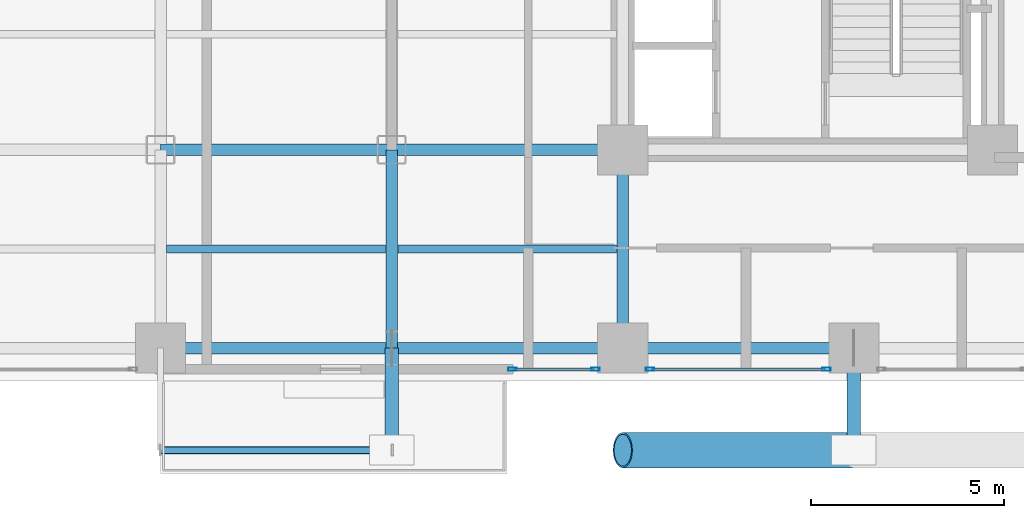
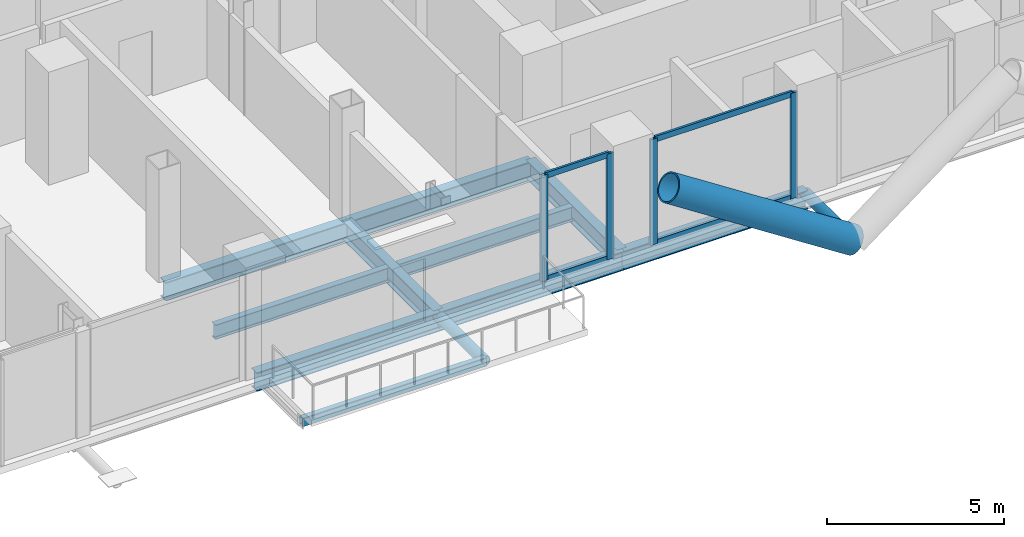
# One storey, part 3 of 25: 11 members, 10 beams, 2 elements without a shape of their own.
"""IFC4 building model written with IfcOpenShell, lengths in metres."""

from ifc_helpers import new_model, si_unit, direction, frame, origin, origin_2d, place, context, subcontext, project, spatial, hollow_rectangle, hollow_circle, i_section, extrude, material, layer, layer_set, material_profile, profile_set, type_object, element, aggregate, save


model = new_model("IFC4")

# Units and contexts
model_context = context("Model", 3, precision=1e-05, world=origin(), true_north=direction((0.0, 1.0)))
body_context = subcontext(model_context, "Body", "Model", "MODEL_VIEW")
ifc_project = project(units=[si_unit("LENGTHUNIT", "METRE"), si_unit("AREAUNIT", "SQUARE_METRE"), si_unit("VOLUMEUNIT", "CUBIC_METRE"), si_unit("PLANEANGLEUNIT", "RADIAN"), si_unit("MASSUNIT", "GRAM", prefix="KILO"), si_unit("THERMODYNAMICTEMPERATUREUNIT", "KELVIN"), si_unit("POWERUNIT", "WATT")], contexts=[model_context])

# Site, building, storey
site_placement = place(None, origin())
site = spatial("IfcSite", under=ifc_project, at=site_placement, CompositionType="ELEMENT")
building_placement = place(site_placement, origin())
building = spatial("IfcBuilding", under=site, at=building_placement, Name="Svarakhadi Broadcast Tower", CompositionType="ELEMENT")
storey_placement = place(building_placement, frame((0.0, 0.0, 79.199951171875)))
storey = spatial("IfcBuildingStorey", under=building, at=storey_placement, Name="L18", CompositionType="ELEMENT", Elevation=79.199951171875)

# Beams
ifc_material_1 = material(Name="Steel S355J2 (IS 2062 E350C)", Category="steel")
ifc_material_profile_1 = material_profile(ifc_material_1, i_section(OverallWidth=0.199951171875, OverallDepth=0.5, WebThickness=0.01025390625, FlangeThickness=0.01611328125, FilletRadius=0.02099609375, at=origin_2d()), Name="NPB 500x200x91")
ifc_profile_set_1 = profile_set([ifc_material_profile_1], Name="Steel S355J2 (IS 2062 E350C)")
beam_type_1 = type_object("IfcBeamType", Name="Beam_NPB500", PredefinedType="BEAM", material=ifc_profile_set_1)
for number, where, z_axis, x_axis, name in (
    (1, (12.159912109375, 3.425048828125, -0.5), (1.0, 0.0, 0.0), (0.0, 1.0, 0.0), "L18 Secondary Composite Beam SB013"),
    (2, (18.159912109375, 3.425048828125, -0.5), (1.0, 0.0, 0.0), (0.0, 1.0, 0.0), "L18 Secondary Composite Beam SB019"),
):
    element("IfcBeam", number, at=place(storey_placement, frame(where, z_axis=z_axis, x_axis=x_axis)), inside=storey, type_object=beam_type_1, Name=name, PredefinedType="BEAM", context=body_context, shape_type="SweptSolid", body=[
        extrude(i_section(OverallWidth=0.199951171875, OverallDepth=0.5, WebThickness=0.01025390625, FlangeThickness=0.01611328125, FilletRadius=0.02099609375, at=origin_2d()), origin(), (0.0, 0.0, 1.0), 5.68017578125),
    ])

# Curtain wall, members
ifc_material_2 = material(Name="Anodised Bronze Aluminium AA 6063-T6", Category="aluminium")
ifc_layer = layer(ifc_material_2, 0.219970703125)
ifc_layer_set = layer_set([ifc_layer], Name="Anodised Bronze Aluminium AA 6063-T6")
curtain_wall_type = type_object("IfcCurtainWallType", Name="CW_Sys_02", PredefinedType="NOTDEFINED", material=ifc_layer_set)
curtain_wall_1_placement = place(storey_placement, origin())
curtain_wall_1 = element("IfcCurtainWall", 3, at=curtain_wall_1_placement, inside=storey, type_object=curtain_wall_type, Name="L18 South Curtain Wall 16 Bay 5", PredefinedType="NOTDEFINED")
ifc_material_profile_2 = material_profile(ifc_material_2, hollow_rectangle(XDim=0.0849609375, YDim=0.219970703125, WallThickness=0.006103515625, at=origin_2d()), Name="ALU MULLION 220x85x6")
ifc_profile_set_2 = profile_set([ifc_material_profile_2], Name="Anodised Bronze Aluminium AA 6063-T6")
member_type_1 = type_object("IfcMemberType", Name="CW_Sys_02_Mul", PredefinedType="MULLION", material=ifc_profile_set_2)
member_1_placement = place(storey_placement, frame((29.28759765625, 0.300048828125, 0.0), z_axis=(0.0, 0.0, 1.0), x_axis=(0.0, -1.0, 0.0)))
member_1 = element("IfcMember", 4, at=member_1_placement, type_object=member_type_1, Name="CW-02 mullion 1", PredefinedType="MULLION", context=body_context, shape_type="SweptSolid", body=[
    extrude(hollow_rectangle(XDim=0.0849609375, YDim=0.219970703125, WallThickness=0.006103515625, at=origin_2d()), origin(), (0.0, 0.0, 1.0), 3.650146484375),
])
member_2_placement = place(storey_placement, frame((24.71240234375, 0.300048828125, 0.0), z_axis=(0.0, 0.0, 1.0), x_axis=(0.0, -1.0, 0.0)))
member_2 = element("IfcMember", 5, at=member_2_placement, type_object=member_type_1, Name="CW-02 mullion 2", PredefinedType="MULLION", context=body_context, shape_type="SweptSolid", body=[
    extrude(hollow_rectangle(XDim=0.0849609375, YDim=0.219970703125, WallThickness=0.006103515625, at=origin_2d()), origin(), (0.0, 0.0, 1.0), 3.650146484375),
])

curtain_wall_2_placement = place(storey_placement, origin())
curtain_wall_2 = element("IfcCurtainWall", 6, at=curtain_wall_2_placement, inside=storey, type_object=curtain_wall_type, Name="L18 South Curtain Wall 16 Bay 6", PredefinedType="NOTDEFINED")
member_3_placement = place(storey_placement, frame((23.28759765625, 0.300048828125, 0.0), z_axis=(0.0, 0.0, 1.0), x_axis=(0.0, -1.0, 0.0)))
member_3 = element("IfcMember", 7, at=member_3_placement, type_object=member_type_1, Name="CW-02 mullion 1", PredefinedType="MULLION", context=body_context, shape_type="SweptSolid", body=[
    extrude(hollow_rectangle(XDim=0.0849609375, YDim=0.219970703125, WallThickness=0.006103515625, at=origin_2d()), origin(), (0.0, 0.0, 1.0), 3.650146484375),
])
member_4_placement = place(storey_placement, frame((21.132568359375, 0.300048828125, 0.0), z_axis=(0.0, 0.0, 1.0), x_axis=(0.0, -1.0, 0.0)))
member_4 = element("IfcMember", 8, at=member_4_placement, type_object=member_type_1, Name="CW-02 mullion 2", PredefinedType="MULLION", context=body_context, shape_type="SweptSolid", body=[
    extrude(hollow_rectangle(XDim=0.0849609375, YDim=0.219970703125, WallThickness=0.006103515625, at=origin_2d()), origin(), (0.0, 0.0, 1.0), 3.650146484375),
])

# Member
ifc_material_profile_3 = material_profile(ifc_material_2, hollow_rectangle(XDim=0.074951171875, YDim=0.199951171875, WallThickness=0.0048828125, at=origin_2d()), Name="ALU TRANSOM 200x75x5")
ifc_profile_set_3 = profile_set([ifc_material_profile_3], Name="Anodised Bronze Aluminium AA 6063-T6")
member_type_2 = type_object("IfcMemberType", Name="CW_Sys_02_Trn", PredefinedType="USERDEFINED", material=ifc_profile_set_3)
member_5_placement = place(storey_placement, frame((29.2451171875, 0.300048828125, 0.03759765625), z_axis=(-1.0, 0.0, 0.0), x_axis=(0.0, -1.0, 0.0)))
member_5 = element("IfcMember", 9, at=member_5_placement, type_object=member_type_2, Name="CW-02 transom 1.1", ObjectType="TRANSOM", PredefinedType="USERDEFINED", context=body_context, shape_type="SweptSolid", body=[
    extrude(hollow_rectangle(XDim=0.074951171875, YDim=0.199951171875, WallThickness=0.0048828125, at=origin_2d()), origin(), (0.0, 0.0, 1.0), 4.490234375),
])

member_6_placement = place(storey_placement, frame((29.2451171875, 0.300048828125, 3.612548828125), z_axis=(-1.0, 0.0, 0.0), x_axis=(0.0, -1.0, 0.0)))
member_6 = element("IfcMember", 10, at=member_6_placement, type_object=member_type_2, Name="CW-02 transom 1.2", ObjectType="TRANSOM", PredefinedType="USERDEFINED", context=body_context, shape_type="SweptSolid", body=[
    extrude(hollow_rectangle(XDim=0.074951171875, YDim=0.199951171875, WallThickness=0.0048828125, at=origin_2d()), origin(), (0.0, 0.0, 1.0), 4.490234375),
])

aggregate(curtain_wall_1, [member_1, member_2, member_5, member_6])

member_7_placement = place(storey_placement, frame((23.2451171875, 0.300048828125, 0.03759765625), z_axis=(-1.0, 0.0, 0.0), x_axis=(0.0, -1.0, 0.0)))
member_7 = element("IfcMember", 11, at=member_7_placement, type_object=member_type_2, Name="CW-02 transom 1.1", ObjectType="TRANSOM", PredefinedType="USERDEFINED", context=body_context, shape_type="SweptSolid", body=[
    extrude(hollow_rectangle(XDim=0.074951171875, YDim=0.199951171875, WallThickness=0.0048828125, at=origin_2d()), origin(), (0.0, 0.0, 1.0), 2.070068359375),
])

member_8_placement = place(storey_placement, frame((23.2451171875, 0.300048828125, 3.612548828125), z_axis=(-1.0, 0.0, 0.0), x_axis=(0.0, -1.0, 0.0)))
member_8 = element("IfcMember", 12, at=member_8_placement, type_object=member_type_2, Name="CW-02 transom 1.2", ObjectType="TRANSOM", PredefinedType="USERDEFINED", context=body_context, shape_type="SweptSolid", body=[
    extrude(hollow_rectangle(XDim=0.074951171875, YDim=0.199951171875, WallThickness=0.0048828125, at=origin_2d()), origin(), (0.0, 0.0, 1.0), 2.070068359375),
])

aggregate(curtain_wall_2, [member_3, member_4, member_7, member_8])

# Members
ifc_material_3 = material(Name="Steel S460ML (IS 2062 E450BR)", Category="steel")
ifc_material_profile_4 = material_profile(ifc_material_3, hollow_circle(Radius=0.45703125, WallThickness=0.044921875, at=origin_2d()), Name="CHS 914x45")
ifc_profile_set_4 = profile_set([ifc_material_profile_4], Name="Steel S460ML (IS 2062 E450BR)")
member_type_3 = type_object("IfcMemberType", Name="Exo_Brace_CHS914", PredefinedType="BRACE", material=ifc_profile_set_4)
member_9_placement = place(storey_placement, frame((30.0, -1.800048828125, -0.427734375), z_axis=(-0.838449851971, 0.0, 0.544978757136), x_axis=(0.0, -1.0, 0.0)))
element("IfcMember", 13, at=member_9_placement, inside=storey, type_object=member_type_3, Name="L18 Exposed Bronze Exoskeleton Diagonal S01", PredefinedType="BRACE", context=body_context, shape_type="SweptSolid", body=[
    extrude(hollow_circle(Radius=0.45703125, WallThickness=0.044921875, at=origin_2d()), origin(), (0.0, 0.0, 1.0), 7.156005859375),
])
ifc_material_profile_5 = material_profile(ifc_material_3, hollow_circle(Radius=0.177734375, WallThickness=0.02001953125, at=origin_2d()), Name="CHS 355.6x20")
ifc_profile_set_5 = profile_set([ifc_material_profile_5], Name="Steel S460ML (IS 2062 E450BR)")
member_type_4 = type_object("IfcMemberType", Name="Exo_Radial_Strut_Z1", PredefinedType="STRUT", material=ifc_profile_set_5)
for number, where, z_axis, x_axis, name in (
    (14, (18.0, -1.800048828125, -0.427734375), (0.0, 1.0, 0.0), (-1.0, 0.0, 0.0), "L18 Exoskeleton Radial Tie Strut S02"),
    (15, (30.0, -1.800048828125, -0.427734375), (0.0, 1.0, 0.0), (-1.0, 0.0, 0.0), "L18 Exoskeleton Radial Tie Strut S03"),
):
    element("IfcMember", number, at=place(storey_placement, frame(where, z_axis=z_axis, x_axis=x_axis)), inside=storey, type_object=member_type_4, Name=name, PredefinedType="STRUT", context=body_context, shape_type="SweptSolid", body=[
        extrude(hollow_circle(Radius=0.177734375, WallThickness=0.02001953125, at=origin_2d()), origin(), (0.0, 0.0, 1.0), 2.650146484375),
    ])

# Beams
ifc_material_profile_6 = material_profile(ifc_material_1, i_section(OverallWidth=0.300048828125, OverallDepth=0.64990234375, WebThickness=0.01611328125, FlangeThickness=0.031005859375, FilletRadius=0.027099609375, at=origin_2d()), Name="WPB 650x300x225")
ifc_profile_set_6 = profile_set([ifc_material_profile_6], Name="Steel S355J2 (IS 2062 E350C)")
beam_type_2 = type_object("IfcBeamType", Name="Girder_WPB650", PredefinedType="USERDEFINED", material=ifc_profile_set_6)
for number, where, z_axis, x_axis, name in (
    (16, (12.0, 0.85009765625, -0.574951171875), (1.0, 0.0, 0.0), (0.0, 1.0, 0.0), "L18 Primary E-W Girder G005"),
    (17, (18.0, 0.85009765625, -0.574951171875), (1.0, 0.0, 0.0), (0.0, 1.0, 0.0), "L18 Primary E-W Girder G006"),
    (18, (24.0, 0.85009765625, -0.574951171875), (1.0, 0.0, 0.0), (0.0, 1.0, 0.0), "L18 Primary E-W Girder G007"),
    (19, (12.0, 6.0, -0.574951171875), (1.0, 0.0, 0.0), (0.0, 1.0, 0.0), "L18 Primary E-W Girder G013"),
    (20, (18.0, 6.0, -0.574951171875), (1.0, 0.0, 0.0), (0.0, 1.0, 0.0), "L18 Primary E-W Girder G014"),
):
    element("IfcBeam", number, at=place(storey_placement, frame(where, z_axis=z_axis, x_axis=x_axis)), inside=storey, type_object=beam_type_2, Name=name, ObjectType="GIRDER", PredefinedType="USERDEFINED", context=body_context, shape_type="SweptSolid", body=[
        extrude(i_section(OverallWidth=0.300048828125, OverallDepth=0.64990234375, WebThickness=0.01611328125, FlangeThickness=0.031005859375, FilletRadius=0.027099609375, at=origin_2d()), origin(), (0.0, 0.0, 1.0), 6.0),
    ])
for number, where, z_axis, x_axis, name in (
    (21, (18.0, 0.85009765625, -0.574951171875), (0.0, 1.0, 0.0), (-1.0, 0.0, 0.0), "L18 Primary N-S Girder G064"),
    (22, (24.0, 0.85009765625, -0.574951171875), (0.0, 1.0, 0.0), (-1.0, 0.0, 0.0), "L18 Primary N-S Girder G071"),
):
    element("IfcBeam", number, at=place(storey_placement, frame(where, z_axis=z_axis, x_axis=x_axis)), inside=storey, type_object=beam_type_2, Name=name, ObjectType="GIRDER", PredefinedType="USERDEFINED", context=body_context, shape_type="SweptSolid", body=[
        extrude(i_section(OverallWidth=0.300048828125, OverallDepth=0.64990234375, WebThickness=0.01611328125, FlangeThickness=0.031005859375, FilletRadius=0.027099609375, at=origin_2d()), origin(), (0.0, 0.0, 1.0), 5.14990234375),
    ])
ifc_material_profile_7 = material_profile(ifc_material_3, hollow_rectangle(XDim=0.199951171875, YDim=0.300048828125, WallThickness=0.012451171875, InnerFilletRadius=0.012451171875, OuterFilletRadius=0.02490234375, at=origin_2d()), Name="RHS 300x200x12.5")
ifc_profile_set_7 = profile_set([ifc_material_profile_7], Name="Steel S460ML (IS 2062 E450BR)")
beam_type_3 = type_object("IfcBeamType", Name="Spandrel_RHS300", PredefinedType="SPANDREL", material=ifc_profile_set_7)
beam_placement = place(storey_placement, frame((12.0, -1.800048828125, -0.39990234375), z_axis=(1.0, 0.0, 0.0), x_axis=(0.0, 1.0, 0.0)))
element("IfcBeam", 23, at=beam_placement, inside=storey, type_object=beam_type_3, Name="L18 Balcony Outer Spandrel 1F", PredefinedType="SPANDREL", context=body_context, shape_type="SweptSolid", body=[
    extrude(hollow_rectangle(XDim=0.199951171875, YDim=0.300048828125, WallThickness=0.012451171875, InnerFilletRadius=0.012451171875, OuterFilletRadius=0.02490234375, at=origin_2d()), origin(), (0.0, 0.0, 1.0), 6.0),
])

save(model, "model.ifc")
